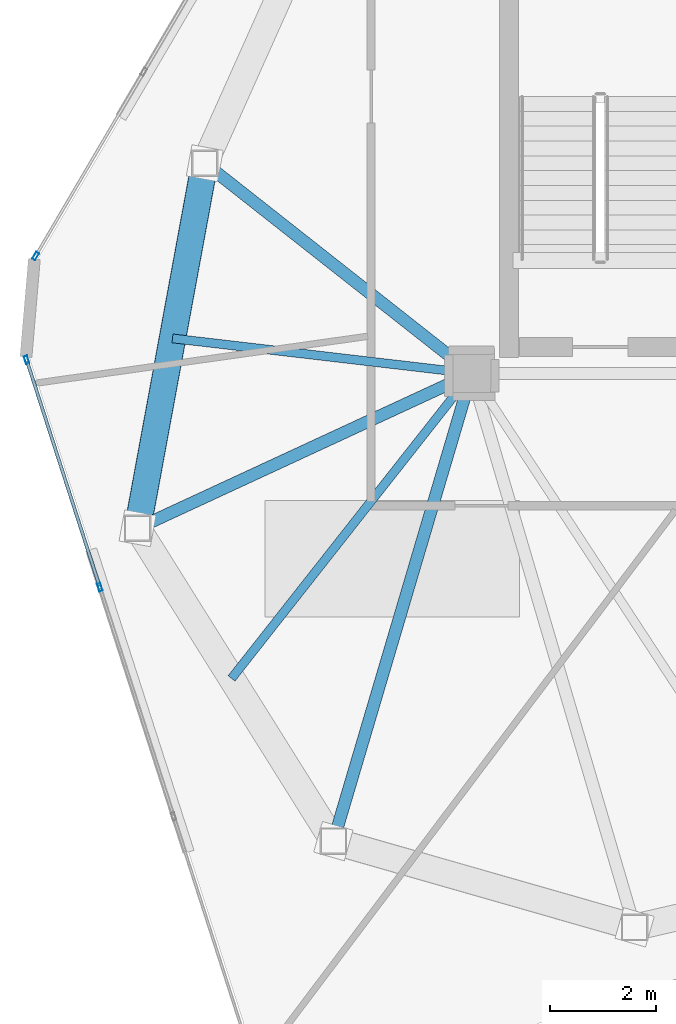
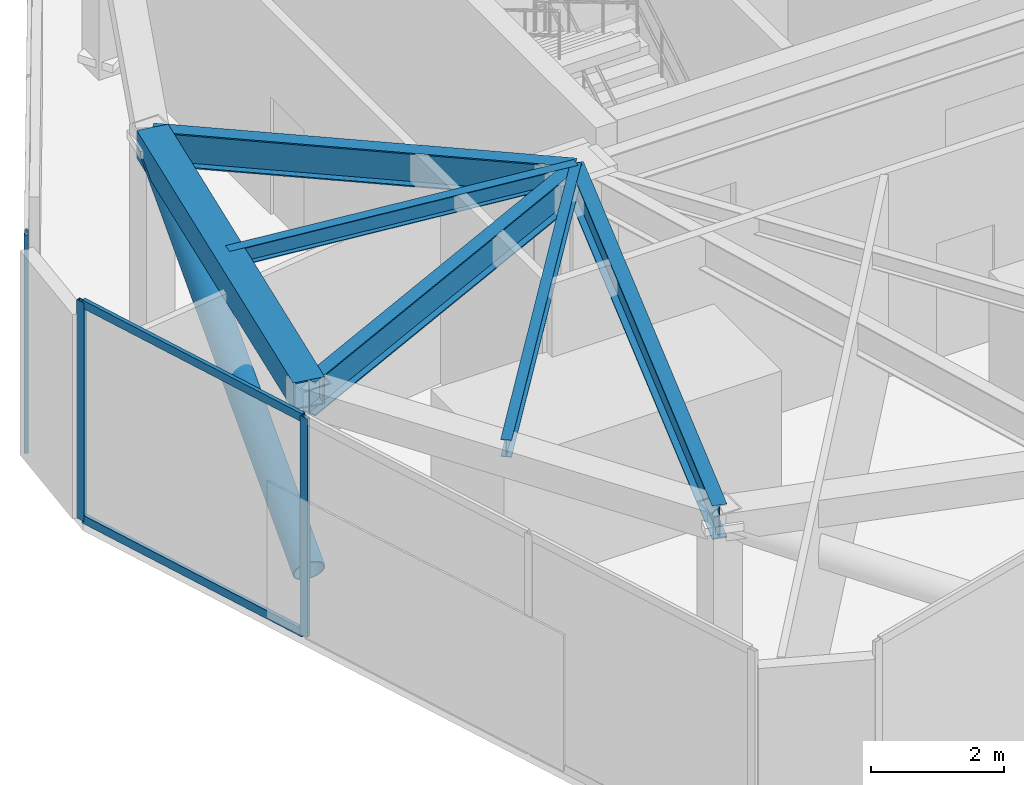
# One storey, part 4 of 19: 6 beams, 6 members, 2 elements without a shape of their own.
"""IFC4 building model written with IfcOpenShell, lengths in metres."""

from ifc_helpers import new_model, si_unit, direction, frame, origin, origin_2d, place, context, subcontext, project, spatial, hollow_rectangle, hollow_circle, i_section, extrude, source, transform, mapped, material, layer, layer_set, material_profile, profile_set, type_object, type_shapes, element, aggregate, save


model = new_model("IFC4")

# Units and contexts
model_context = context("Model", 3, precision=1e-05, world=origin(), true_north=direction((0.0, 1.0)))
body_context = subcontext(model_context, "Body", "Model", "MODEL_VIEW")
ifc_project = project(units=[si_unit("LENGTHUNIT", "METRE"), si_unit("AREAUNIT", "SQUARE_METRE"), si_unit("VOLUMEUNIT", "CUBIC_METRE"), si_unit("PLANEANGLEUNIT", "RADIAN"), si_unit("MASSUNIT", "GRAM", prefix="KILO")], contexts=[model_context])

# Site, building, storey
site_placement = place(None, origin())
site = spatial("IfcSite", under=ifc_project, at=site_placement, CompositionType="ELEMENT")
building_placement = place(site_placement, origin())
building = spatial("IfcBuilding", under=site, at=building_placement, Name="Talar Marvaseh", CompositionType="ELEMENT")
storey_placement = place(building_placement, frame((0.0, 0.0, 296.0)))
storey = spatial("IfcBuildingStorey", under=building, at=storey_placement, Name="L79", CompositionType="ELEMENT", Elevation=296.0)

# Beams
ifc_material_1 = material(Name="Steel S460", Category="steel")
ifc_material_profile_1 = material_profile(ifc_material_1, hollow_rectangle(XDim=0.5, YDim=0.5, WallThickness=0.02490234375, at=origin_2d()), Name="BOX500x500x25")
ifc_profile_set_1 = profile_set([ifc_material_profile_1], Name="Steel S460")
beam_type_1 = type_object("IfcBeamType", Name="Crown Frame Top Ring Beam BOX500x500x25", PredefinedType="BEAM", material=ifc_profile_set_1)
beam_1_placement = place(storey_placement, frame((12.388916015625, 22.576904296875, 3.489990234375), z_axis=(0.18106135948, 0.983471801377, 0.0), x_axis=(-0.983471801377, 0.18106135948, 0.0)))
element("IfcBeam", 1, at=beam_1_placement, inside=storey, type_object=beam_type_1, Name="L79 Crown Frame Top Ring Beam BOX500x500x25", PredefinedType="BEAM", context=body_context, shape_type="SweptSolid", body=[
    extrude(hollow_rectangle(XDim=0.5, YDim=0.5, WallThickness=0.02490234375, at=origin_2d()), origin(), (0.0, 0.0, 1.0), 7.0087890625),
])
ifc_material_2 = material(Name="Steel S355", Category="steel")
ifc_material_profile_2 = material_profile(ifc_material_2, i_section(OverallWidth=0.166015625, OverallDepth=0.31298828125, WebThickness=0.006591796875, FlangeThickness=0.01123046875, at=origin_2d()), Name="W310x45")
ifc_profile_set_2 = profile_set([ifc_material_profile_2], Name="Steel S355")
beam_type_2 = type_object("IfcBeamType", Name="Zone 3 Secondary Floor Joist W310x45", PredefinedType="JOIST", material=ifc_profile_set_2)
beam_2_placement = place(storey_placement, frame((13.048828125, 26.161376953125, 3.58349609375), z_axis=(0.993221011039, -0.116241228622, 0.0), x_axis=(0.116241228622, 0.993221011039, 0.0)))
element("IfcBeam", 2, at=beam_2_placement, inside=storey, type_object=beam_type_2, Name="L79 Zone 3 Secondary Floor Joist W310x45", PredefinedType="JOIST", context=body_context, shape_type="SweptSolid", body=[
    extrude(i_section(OverallWidth=0.166015625, OverallDepth=0.31298828125, WebThickness=0.006591796875, FlangeThickness=0.01123046875, at=origin_2d()), origin(), (0.0, 0.0, 1.0), 5.689697265625),
])
beam_3_placement = place(storey_placement, frame((14.1640625, 19.74072265625, 3.58349609375), z_axis=(0.618727137907, 0.785605962819, 0.0), x_axis=(-0.785605962819, 0.618727137907, 0.0)))
element("IfcBeam", 3, at=beam_3_placement, inside=storey, type_object=beam_type_2, Name="L79 Zone 3 Secondary Floor Joist W310x45", PredefinedType="JOIST", context=body_context, shape_type="SweptSolid", body=[
    extrude(i_section(OverallWidth=0.166015625, OverallDepth=0.31298828125, WebThickness=0.006591796875, FlangeThickness=0.01123046875, at=origin_2d()), origin(), (0.0, 0.0, 1.0), 7.3310546875),
])
ifc_material_profile_3 = material_profile(ifc_material_2, i_section(OverallWidth=0.22998046875, OverallDepth=0.616943359375, WebThickness=0.01318359375, FlangeThickness=0.022216796875, at=origin_2d()), Name="W610x140")
ifc_profile_set_3 = profile_set([ifc_material_profile_3], Name="Steel S355")
beam_type_3 = type_object("IfcBeamType", Name="Zone 4 Radial Floor Girder W610x140", PredefinedType="BEAM", material=ifc_profile_set_3)
beam_4_placement = place(storey_placement, frame((12.388916015625, 22.576904296875, 3.431396484375), z_axis=(0.907394527995, 0.420279871709, 0.0), x_axis=(-0.420279871709, 0.907394527995, 0.0)))
element("IfcBeam", 4, at=beam_4_placement, inside=storey, type_object=beam_type_3, Name="L79 Zone 4 Radial Floor Girder W610x140", PredefinedType="BEAM", context=body_context, shape_type="SweptSolid", body=[
    extrude(i_section(OverallWidth=0.22998046875, OverallDepth=0.616943359375, WebThickness=0.01318359375, FlangeThickness=0.022216796875, at=origin_2d()), origin(), (0.0, 0.0, 1.0), 6.955078125),
])
beam_5_placement = place(storey_placement, frame((13.657958984375, 29.469970703125, 3.431396484375), z_axis=(0.785681617372, -0.618631066245, 0.0), x_axis=(0.618631066245, 0.785681617372, 0.0)))
element("IfcBeam", 5, at=beam_5_placement, inside=storey, type_object=beam_type_3, Name="L79 Zone 4 Radial Floor Girder W610x140", PredefinedType="BEAM", context=body_context, shape_type="SweptSolid", body=[
    extrude(i_section(OverallWidth=0.22998046875, OverallDepth=0.616943359375, WebThickness=0.01318359375, FlangeThickness=0.022216796875, at=origin_2d()), origin(), (0.0, 0.0, 1.0), 6.417236328125),
])
beam_6_placement = place(storey_placement, frame((16.0869140625, 16.66796875, 3.431396484375), z_axis=(0.283702937759, 0.958912218666, 0.0), x_axis=(-0.958912218666, 0.283702937759, 0.0)))
element("IfcBeam", 6, at=beam_6_placement, inside=storey, type_object=beam_type_3, Name="L79 Zone 4 Radial Floor Girder W610x140", PredefinedType="BEAM", context=body_context, shape_type="SweptSolid", body=[
    extrude(i_section(OverallWidth=0.22998046875, OverallDepth=0.616943359375, WebThickness=0.01318359375, FlangeThickness=0.022216796875, at=origin_2d()), origin(), (0.0, 0.0, 1.0), 9.21044921875),
])

# Member
ifc_material_profile_4 = material_profile(ifc_material_1, hollow_circle(Radius=0.25390625, WallThickness=0.02001953125, at=origin_2d()), Name="CHS508x20")
ifc_profile_set_4 = profile_set([ifc_material_profile_4], Name="Steel S460")
member_type_1 = type_object("IfcMemberType", Name="Crown Frame Diagonal Brace CHS508x20", PredefinedType="BRACE", material=ifc_profile_set_4)
shared_shape_1 = source(origin(), body_context, "Body", "SweptSolid", [
    extrude(hollow_circle(Radius=0.25390625, WallThickness=0.02001953125, at=origin_2d()), origin(), (0.0, 0.0, 1.0), 7.721435546875),
])
type_shapes(member_type_1, [shared_shape_1])
member_1_placement = place(storey_placement, frame((12.388916015625, 22.576904296875, 0.25), z_axis=(0.164350755553, 0.892704738799, 0.419603477672), x_axis=(-0.983471801377, 0.18106135948, 0.0)))
element("IfcMember", 7, at=member_1_placement, inside=storey, type_object=member_type_1, Name="L79 Crown Frame Diagonal Brace 1", PredefinedType="BRACE", context=body_context, shape_type="MappedRepresentation", body=[
    mapped(shared_shape_1, transform((0.0, 0.0, 0.0), x_axis=(1.0, 0.0, 0.0), y_axis=(0.0, 1.0, 0.0), z_axis=(0.0, 0.0, 1.0), scale=1.0)),
])

# Curtain wall, members
ifc_material_3 = material(Name="Architectural Aluminium", Category="aluminium")
ifc_layer = layer(ifc_material_3, 0.2099609375)
ifc_layer_set = layer_set([ifc_layer], Name="Architectural Aluminium")
curtain_wall_type = type_object("IfcCurtainWallType", Name="Crown Plant Acoustic Spandrel Curtain Wall", PredefinedType="NOTDEFINED", material=ifc_layer_set)
curtain_wall_1_placement = place(storey_placement, origin())
curtain_wall_1 = element("IfcCurtainWall", 8, at=curtain_wall_1_placement, inside=storey, type_object=curtain_wall_type, Name="L79 Crown Plant Acoustic Spandrel Curtain Wall", PredefinedType="NOTDEFINED")
ifc_material_profile_5 = material_profile(ifc_material_3, hollow_rectangle(XDim=0.06494140625, YDim=0.14990234375, WallThickness=0.00390625, at=origin_2d()), Name="RHS150x65x4")
ifc_profile_set_5 = profile_set([ifc_material_profile_5], Name="Architectural Aluminium")
member_type_2 = type_object("IfcMemberType", Name="Unitised Curtain Wall Slim Transom RHS150x65x4", PredefinedType="USERDEFINED", material=ifc_profile_set_5)
shared_shape_2 = source(origin(), body_context, "Body", "SweptSolid", [
    extrude(hollow_rectangle(XDim=0.06494140625, YDim=0.14990234375, WallThickness=0.00390625, at=origin_2d()), origin(), (0.0, 0.0, 1.0), 4.447509765625),
])
type_shapes(member_type_2, [shared_shape_2])
member_2_placement = place(storey_placement, frame((11.667236328125, 21.49365234375, 0.032470703125), z_axis=(-0.30647825672, 0.951877659239, 0.0), x_axis=(-0.951877659239, -0.30647825672, 0.0)))
member_2 = element("IfcMember", 9, at=member_2_placement, type_object=member_type_2, Name="CW-CRN transom 3.1", ObjectType="TRANSOM", PredefinedType="USERDEFINED", context=body_context, shape_type="MappedRepresentation", body=[
    mapped(shared_shape_2, transform((0.0, 0.0, 0.0), x_axis=(1.0, 0.0, 0.0), y_axis=(0.0, 1.0, 0.0), z_axis=(0.0, 0.0, 1.0), scale=1.0)),
])
member_3_placement = place(storey_placement, frame((11.667236328125, 21.49365234375, 3.967529296875), z_axis=(-0.30647825672, 0.951877659239, 0.0), x_axis=(-0.951877659239, -0.30647825672, 0.0)))
member_3 = element("IfcMember", 10, at=member_3_placement, type_object=member_type_2, Name="CW-CRN transom 3.2", ObjectType="TRANSOM", PredefinedType="USERDEFINED", context=body_context, shape_type="MappedRepresentation", body=[
    mapped(shared_shape_2, transform((0.0, 0.0, 0.0), x_axis=(1.0, 0.0, 0.0), y_axis=(0.0, 1.0, 0.0), z_axis=(0.0, 0.0, 1.0), scale=1.0)),
])
ifc_material_profile_6 = material_profile(ifc_material_3, hollow_rectangle(XDim=0.06494140625, YDim=0.14990234375, WallThickness=0.00390625, at=origin_2d()), Name="RHS150x65x4")
ifc_profile_set_6 = profile_set([ifc_material_profile_6], Name="Architectural Aluminium")
member_type_3 = type_object("IfcMemberType", Name="Unitised Curtain Wall Slim Mullion RHS150x65x4", PredefinedType="MULLION", material=ifc_profile_set_6)
shared_shape_3 = source(origin(), body_context, "Body", "SweptSolid", [
    extrude(hollow_rectangle(XDim=0.06494140625, YDim=0.14990234375, WallThickness=0.00390625, at=origin_2d()), origin(), (0.0, 0.0, 1.0), 4.0),
])
type_shapes(member_type_3, [shared_shape_3])
member_4_placement = place(storey_placement, frame((11.67724609375, 21.462646484375, 0.0), z_axis=(0.0, 0.0, 1.0), x_axis=(-0.951880867129, -0.306468293294, 0.0)))
member_4 = element("IfcMember", 11, at=member_4_placement, type_object=member_type_3, Name="CW-CRN mullion 3", PredefinedType="MULLION", context=body_context, shape_type="MappedRepresentation", body=[
    mapped(shared_shape_3, transform((0.0, 0.0, 0.0), x_axis=(1.0, 0.0, 0.0), y_axis=(0.0, 1.0, 0.0), z_axis=(0.0, 0.0, 1.0), scale=1.0)),
])
member_5_placement = place(storey_placement, frame((10.294189453125, 25.758056640625, 0.0), z_axis=(0.0, 0.0, 1.0), x_axis=(-0.951880867129, -0.306468293294, 0.0)))
member_5 = element("IfcMember", 12, at=member_5_placement, type_object=member_type_3, Name="CW-CRN mullion 4", PredefinedType="MULLION", context=body_context, shape_type="MappedRepresentation", body=[
    mapped(shared_shape_3, transform((0.0, 0.0, 0.0), x_axis=(1.0, 0.0, 0.0), y_axis=(0.0, 1.0, 0.0), z_axis=(0.0, 0.0, 1.0), scale=1.0)),
])
aggregate(curtain_wall_1, [member_4, member_5, member_2, member_3])

# Curtain wall, member
curtain_wall_2_placement = place(storey_placement, origin())
curtain_wall_2 = element("IfcCurtainWall", 13, at=curtain_wall_2_placement, inside=storey, type_object=curtain_wall_type, Name="L79 Crown Plant Acoustic Spandrel Curtain Wall", PredefinedType="NOTDEFINED")
member_6_placement = place(storey_placement, frame((10.4638671875, 27.715576171875, 0.0), z_axis=(0.0, 0.0, 1.0), x_axis=(-0.862229976306, 0.506516996713, 0.0)))
member_6 = element("IfcMember", 14, at=member_6_placement, type_object=member_type_3, Name="CW-CRN mullion 1", PredefinedType="MULLION", context=body_context, shape_type="MappedRepresentation", body=[
    mapped(shared_shape_3, transform((0.0, 0.0, 0.0), x_axis=(1.0, 0.0, 0.0), y_axis=(0.0, 1.0, 0.0), z_axis=(0.0, 0.0, 1.0), scale=1.0)),
])
aggregate(curtain_wall_2, [member_6])

save(model, "model.ifc")
